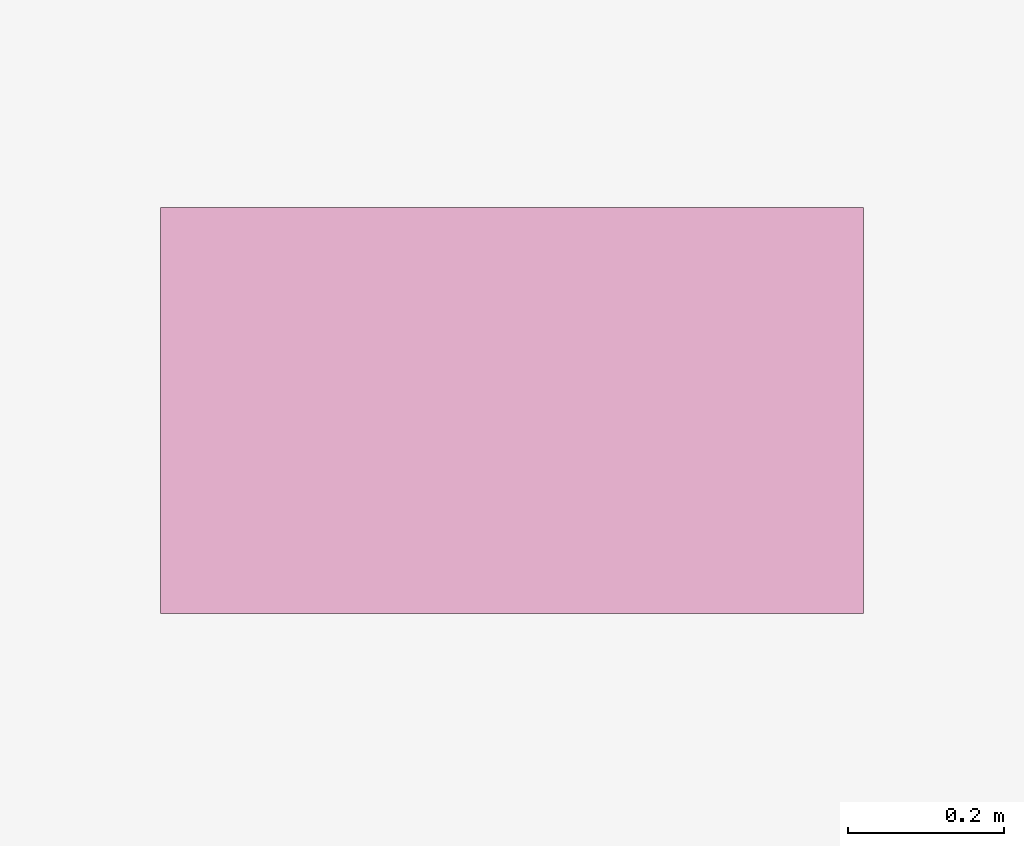
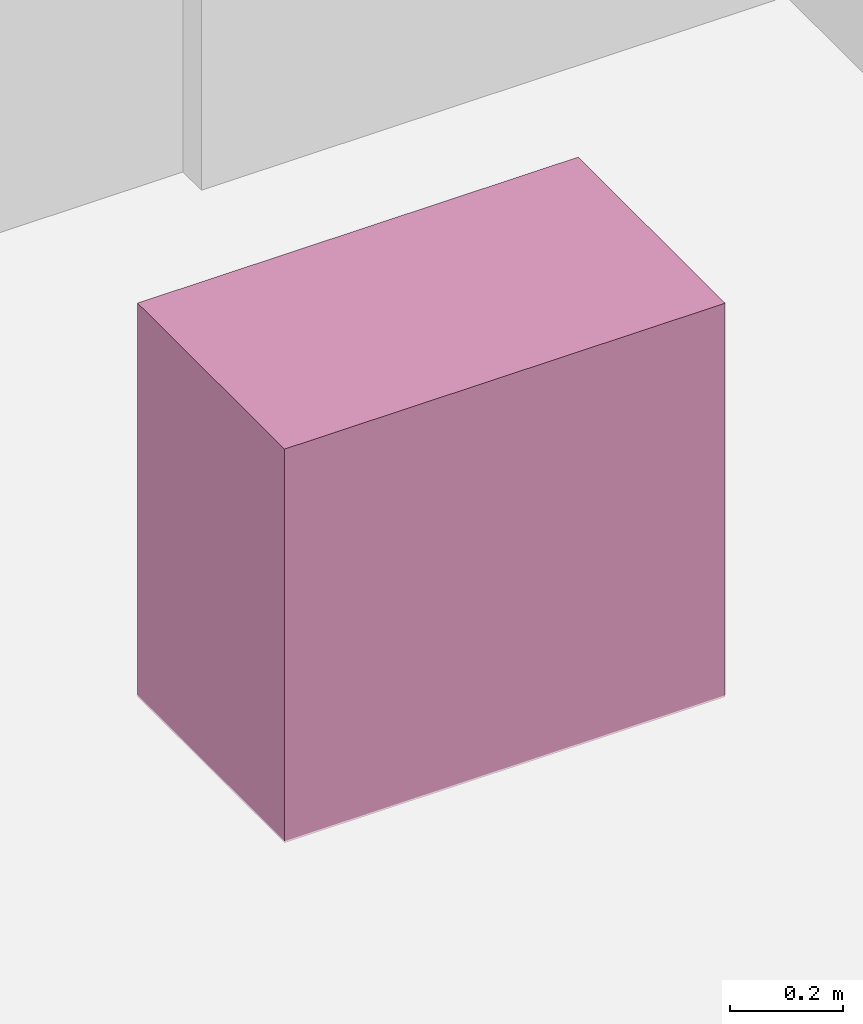
# One storey, part 31 of 31: 1 furnishing.
"""IFC4 building model written with IfcOpenShell, lengths in metres."""

from ifc_helpers import new_model, si_unit, direction, frame, origin, origin_2d, place, context, subcontext, project, spatial, rectangle, extrude, material, type_object, element, save


model = new_model("IFC4")

# Units and contexts
model_context = context("Model", 3, precision=1e-05, world=origin(), true_north=direction((0.0, 1.0)))
body_context = subcontext(model_context, "Body", "Model", "MODEL_VIEW")
ifc_project = project(units=[si_unit("LENGTHUNIT", "METRE"), si_unit("AREAUNIT", "SQUARE_METRE"), si_unit("VOLUMEUNIT", "CUBIC_METRE"), si_unit("PLANEANGLEUNIT", "RADIAN"), si_unit("MASSUNIT", "GRAM", prefix="KILO")], contexts=[model_context])

# Site, building, storey
site_placement = place(None, origin())
site = spatial("IfcSite", under=ifc_project, at=site_placement, CompositionType="ELEMENT")
building_placement = place(site_placement, origin())
building = spatial("IfcBuilding", under=site, at=building_placement, Name="Vorneva Point Tower", CompositionType="ELEMENT")
storey_placement = place(building_placement, frame((0.0, 0.0, 136.10009765625)))
storey = spatial("IfcBuildingStorey", under=building, at=storey_placement, Name="L36", CompositionType="ELEMENT", Elevation=136.10009765625)

# Furnishing
ifc_material = material(Name="Vitreous china and granite top", Category="masonry")
furniture_type = type_object("IfcFurnitureType", Name="FUR-VAN-900", AssemblyPlace="NOTDEFINED", PredefinedType="NOTDEFINED", material=ifc_material)
furnishing_placement = place(storey_placement, frame((37.97509765625, 32.1201171875, -0.005126953125), z_axis=(0.0, 0.0, 1.0), x_axis=(1.0, 0.0, 0.0)))
element("IfcFurnishingElement", 1, at=furnishing_placement, inside=storey, type_object=furniture_type, Name="L36 Accessible WC Vanity Unit", ObjectType="L36 Accessible WC Vanity Unit", context=body_context, shape_type="SweptSolid", body=[
    extrude(rectangle(XDim=0.89990234375, YDim=0.52001953125, at=origin_2d()), origin(), (0.0, 0.0, 1.0), 0.85009765625),
])

save(model, "model.ifc")
